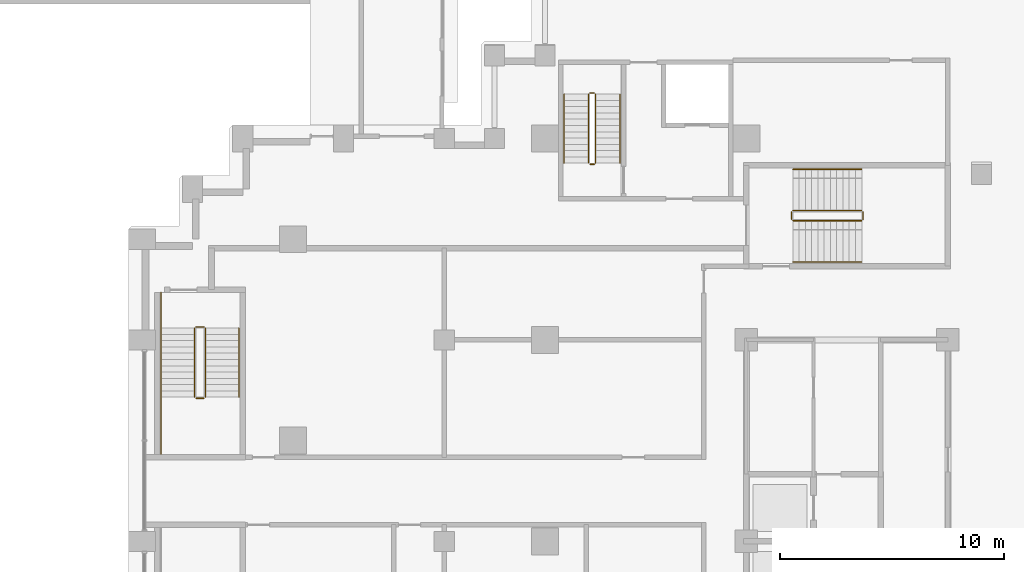
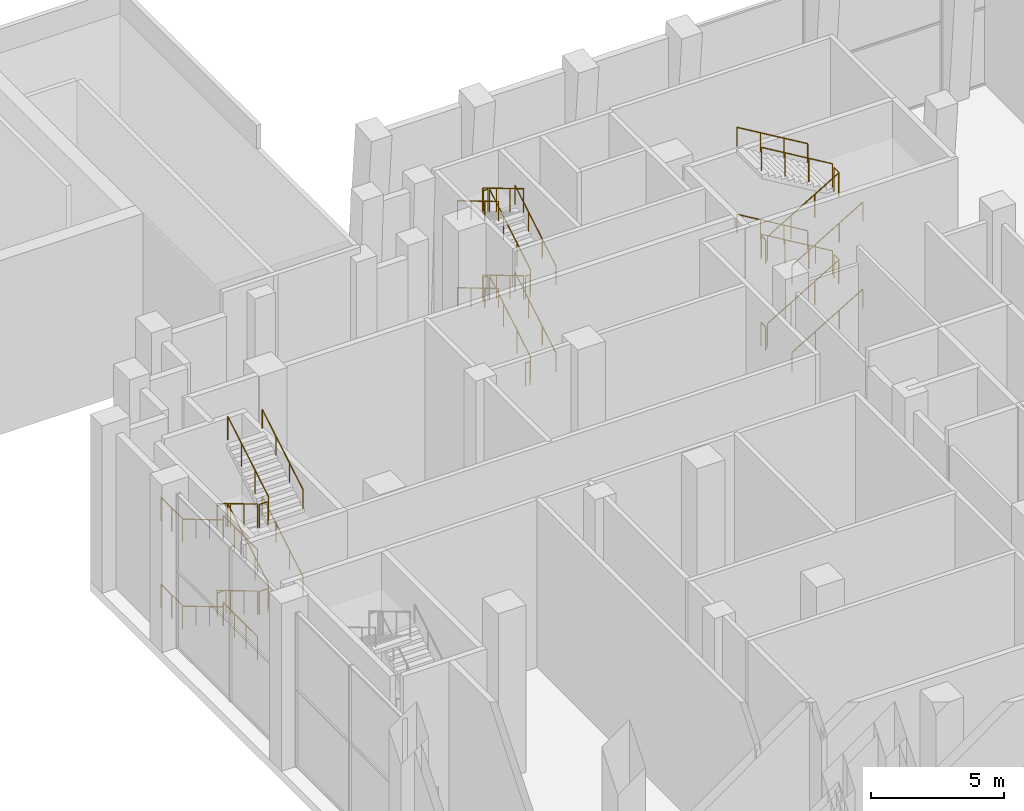
# One storey, part 21 of 24: 3 railings.
"""IFC4 building model written with IfcOpenShell, lengths in metres."""

from ifc_helpers import new_model, si_unit, direction, frame, origin, origin_2d, place, context, subcontext, project, spatial, circle, extrude, material, type_object, element, save


model = new_model("IFC4")

# Units and contexts
model_context = context("Model", 3, precision=1e-05, world=origin(), true_north=direction((0.0, 1.0)))
body_context = subcontext(model_context, "Body", "Model", "MODEL_VIEW")
ifc_project = project(units=[si_unit("LENGTHUNIT", "METRE"), si_unit("AREAUNIT", "SQUARE_METRE"), si_unit("VOLUMEUNIT", "CUBIC_METRE"), si_unit("PLANEANGLEUNIT", "RADIAN"), si_unit("MASSUNIT", "GRAM", prefix="KILO")], contexts=[model_context])

# Site, building, storey
site_placement = place(None, origin())
site = spatial("IfcSite", under=ifc_project, at=site_placement, CompositionType="ELEMENT")
building_placement = place(site_placement, origin())
building = spatial("IfcBuilding", under=site, at=building_placement, Name="Corbelhall Arena Tower", CompositionType="ELEMENT")
storey_placement = place(building_placement, frame((0.0, 0.0, 60.0)))
storey = spatial("IfcBuildingStorey", under=building, at=storey_placement, Name="L08", CompositionType="ELEMENT", Elevation=60.0)

# Railings
ifc_material = material(Name="Steel ASTM A500 Gr C", Category="steel")
railing_type = type_object("IfcRailingType", Name="IN-GD-1100", PredefinedType="GUARDRAIL", material=ifc_material)
railing_1_placement = place(storey_placement, frame((-11.425048828125, 14.324951171875, 0.166748046875)))
element("IfcRailing", 1, at=railing_1_placement, inside=storey, type_object=railing_type, Name="L08 ST1 stair guards and handrails", PredefinedType="GUARDRAIL", context=body_context, shape_type="SweptSolid", body=[
    extrude(circle(Radius=0.02392578125, at=origin_2d()), frame((0.0, 0.0, 1.076171875), z_axis=(0.859308565015, 0.0, 0.511457515432), x_axis=(0.0, 1.0, 0.0)), (0.0, 0.0, 1.0), 3.58447265625),
    extrude(circle(Radius=0.02392578125, at=origin_2d()), frame((3.130126953125, 0.050048828125, 2.9091796875), z_axis=(0.0, 1.0, 0.0), x_axis=(-1.0, 0.0, 0.0)), (0.0, 0.0, 1.0), 0.35009765625),
    extrude(circle(Radius=0.02392578125, at=origin_2d()), frame((3.080078125, 0.449951171875, 3.076171875), z_axis=(-0.859308565015, 0.0, 0.511457515432), x_axis=(0.0, -1.0, 0.0)), (0.0, 0.0, 1.0), 3.58447265625),
    extrude(circle(Radius=0.02392578125, at=origin_2d()), frame((-0.050048828125, 0.050048828125, 4.9091796875), z_axis=(0.0, 1.0, 0.0), x_axis=(-1.0, 0.0, 0.0)), (0.0, 0.0, 1.0), 0.35009765625),
    extrude(circle(Radius=0.02392578125, at=origin_2d()), frame((0.0, 0.0, 5.076171875), z_axis=(0.859308565015, 0.0, 0.511457515432), x_axis=(0.0, 1.0, 0.0)), (0.0, 0.0, 1.0), 3.58447265625),
    extrude(circle(Radius=0.02392578125, at=origin_2d()), frame((3.130126953125, 0.050048828125, 6.9091796875), z_axis=(0.0, 1.0, 0.0), x_axis=(-1.0, 0.0, 0.0)), (0.0, 0.0, 1.0), 0.35009765625),
    extrude(circle(Radius=0.02392578125, at=origin_2d()), frame((3.080078125, 0.449951171875, 7.076171875), z_axis=(-0.859308565015, 0.0, 0.511457515432), x_axis=(0.0, -1.0, 0.0)), (0.0, 0.0, 1.0), 3.58447265625),
    extrude(circle(Radius=0.02392578125, at=origin_2d()), frame((-0.050048828125, 0.050048828125, 0.9091796875), z_axis=(0.0, 1.0, 0.0), x_axis=(-1.0, 0.0, 0.0)), (0.0, 0.0, 1.0), 0.35009765625),
    extrude(circle(Radius=0.02392578125, at=origin_2d()), frame((0.0, -1.849853515625, 0.8759765625), z_axis=(0.859308565015, 0.0, 0.511457515432), x_axis=(0.0, 1.0, 0.0)), (0.0, 0.0, 1.0), 3.58447265625),
    extrude(circle(Radius=0.02392578125, at=origin_2d()), frame((3.080078125, 2.300048828125, 2.8759765625), z_axis=(-0.859308565015, 0.0, 0.511457515432), x_axis=(0.0, -1.0, 0.0)), (0.0, 0.0, 1.0), 3.58447265625),
    extrude(circle(Radius=0.02392578125, at=origin_2d()), frame((0.0, -1.849853515625, 4.8759765625), z_axis=(0.859308565015, 0.0, 0.511457515432), x_axis=(0.0, 1.0, 0.0)), (0.0, 0.0, 1.0), 3.58447265625),
    extrude(circle(Radius=0.02392578125, at=origin_2d()), frame((3.080078125, 2.300048828125, 6.8759765625), z_axis=(-0.859308565015, 0.0, 0.511457515432), x_axis=(0.0, -1.0, 0.0)), (0.0, 0.0, 1.0), 3.58447265625),
    extrude(circle(Radius=0.02099609375, at=origin_2d()), origin(), (0.0, 0.0, 1.0), 1.052001953125),
    extrude(circle(Radius=0.02099609375, at=origin_2d()), frame((1.026611328125, 0.0, 0.611083984375)), (0.0, 0.0, 1.0), 1.052001953125),
    extrude(circle(Radius=0.02099609375, at=origin_2d()), frame((2.053466796875, 0.0, 1.22216796875)), (0.0, 0.0, 1.0), 1.052001953125),
    extrude(circle(Radius=0.02099609375, at=origin_2d()), frame((3.080078125, 0.0, 1.833251953125)), (0.0, 0.0, 1.0), 1.052001953125),
    extrude(circle(Radius=0.02099609375, at=origin_2d()), frame((3.130126953125, 0.050048828125, 1.833251953125)), (0.0, 0.0, 1.0), 1.052001953125),
    extrude(circle(Radius=0.02099609375, at=origin_2d()), frame((3.130126953125, 0.400146484375, 1.833251953125)), (0.0, 0.0, 1.0), 1.052001953125),
    extrude(circle(Radius=0.02099609375, at=origin_2d()), frame((3.080078125, 0.449951171875, 2.0)), (0.0, 0.0, 1.0), 1.052001953125),
    extrude(circle(Radius=0.02099609375, at=origin_2d()), frame((2.053466796875, 0.449951171875, 2.611083984375)), (0.0, 0.0, 1.0), 1.052001953125),
    extrude(circle(Radius=0.02099609375, at=origin_2d()), frame((1.026611328125, 0.449951171875, 3.22216796875)), (0.0, 0.0, 1.0), 1.052001953125),
    extrude(circle(Radius=0.02099609375, at=origin_2d()), frame((0.0, 0.449951171875, 3.833251953125)), (0.0, 0.0, 1.0), 1.052001953125),
    extrude(circle(Radius=0.02099609375, at=origin_2d()), frame((-0.050048828125, 0.050048828125, 3.833251953125)), (0.0, 0.0, 1.0), 1.052001953125),
    extrude(circle(Radius=0.02099609375, at=origin_2d()), frame((-0.050048828125, 0.400146484375, 3.833251953125)), (0.0, 0.0, 1.0), 1.052001953125),
    extrude(circle(Radius=0.02099609375, at=origin_2d()), frame((0.0, 0.0, 4.0)), (0.0, 0.0, 1.0), 1.052001953125),
    extrude(circle(Radius=0.02099609375, at=origin_2d()), frame((1.026611328125, 0.0, 4.611083984375)), (0.0, 0.0, 1.0), 1.052001953125),
    extrude(circle(Radius=0.02099609375, at=origin_2d()), frame((2.053466796875, 0.0, 5.22216796875)), (0.0, 0.0, 1.0), 1.052001953125),
    extrude(circle(Radius=0.02099609375, at=origin_2d()), frame((3.080078125, 0.0, 5.833251953125)), (0.0, 0.0, 1.0), 1.052001953125),
    extrude(circle(Radius=0.02099609375, at=origin_2d()), frame((3.130126953125, 0.050048828125, 5.833251953125)), (0.0, 0.0, 1.0), 1.052001953125),
    extrude(circle(Radius=0.02099609375, at=origin_2d()), frame((3.130126953125, 0.400146484375, 5.833251953125)), (0.0, 0.0, 1.0), 1.052001953125),
    extrude(circle(Radius=0.02099609375, at=origin_2d()), frame((3.080078125, 0.449951171875, 6.0)), (0.0, 0.0, 1.0), 1.052001953125),
    extrude(circle(Radius=0.02099609375, at=origin_2d()), frame((2.053466796875, 0.449951171875, 6.611083984375)), (0.0, 0.0, 1.0), 1.052001953125),
    extrude(circle(Radius=0.02099609375, at=origin_2d()), frame((1.026611328125, 0.449951171875, 7.22216796875)), (0.0, 0.0, 1.0), 1.052001953125),
    extrude(circle(Radius=0.02099609375, at=origin_2d()), frame((0.0, 0.449951171875, 7.833251953125)), (0.0, 0.0, 1.0), 1.052001953125),
    extrude(circle(Radius=0.02099609375, at=origin_2d()), frame((-0.050048828125, 0.050048828125, -0.166748046875)), (0.0, 0.0, 1.0), 1.052001953125),
    extrude(circle(Radius=0.02099609375, at=origin_2d()), frame((-0.050048828125, 0.400146484375, -0.166748046875)), (0.0, 0.0, 1.0), 1.052001953125),
    extrude(circle(Radius=0.02099609375, at=origin_2d()), frame((0.0, -1.849853515625, 0.0)), (0.0, 0.0, 1.0), 0.851806640625),
    extrude(circle(Radius=0.02099609375, at=origin_2d()), frame((1.026611328125, -1.849853515625, 0.611083984375)), (0.0, 0.0, 1.0), 0.851806640625),
    extrude(circle(Radius=0.02099609375, at=origin_2d()), frame((2.053466796875, -1.849853515625, 1.22216796875)), (0.0, 0.0, 1.0), 0.851806640625),
    extrude(circle(Radius=0.02099609375, at=origin_2d()), frame((3.080078125, -1.849853515625, 1.833251953125)), (0.0, 0.0, 1.0), 0.851806640625),
    extrude(circle(Radius=0.02099609375, at=origin_2d()), frame((3.080078125, 2.300048828125, 2.0)), (0.0, 0.0, 1.0), 0.851806640625),
    extrude(circle(Radius=0.02099609375, at=origin_2d()), frame((2.053466796875, 2.300048828125, 2.611083984375)), (0.0, 0.0, 1.0), 0.851806640625),
    extrude(circle(Radius=0.02099609375, at=origin_2d()), frame((1.026611328125, 2.300048828125, 3.22216796875)), (0.0, 0.0, 1.0), 0.851806640625),
    extrude(circle(Radius=0.02099609375, at=origin_2d()), frame((0.0, 2.300048828125, 3.833251953125)), (0.0, 0.0, 1.0), 0.851806640625),
    extrude(circle(Radius=0.02099609375, at=origin_2d()), frame((0.0, -1.849853515625, 4.0)), (0.0, 0.0, 1.0), 0.851806640625),
    extrude(circle(Radius=0.02099609375, at=origin_2d()), frame((1.026611328125, -1.849853515625, 4.611083984375)), (0.0, 0.0, 1.0), 0.851806640625),
    extrude(circle(Radius=0.02099609375, at=origin_2d()), frame((2.053466796875, -1.849853515625, 5.22216796875)), (0.0, 0.0, 1.0), 0.851806640625),
    extrude(circle(Radius=0.02099609375, at=origin_2d()), frame((3.080078125, -1.849853515625, 5.833251953125)), (0.0, 0.0, 1.0), 0.851806640625),
    extrude(circle(Radius=0.02099609375, at=origin_2d()), frame((3.080078125, 2.300048828125, 6.0)), (0.0, 0.0, 1.0), 0.851806640625),
    extrude(circle(Radius=0.02099609375, at=origin_2d()), frame((2.053466796875, 2.300048828125, 6.611083984375)), (0.0, 0.0, 1.0), 0.851806640625),
    extrude(circle(Radius=0.02099609375, at=origin_2d()), frame((1.026611328125, 2.300048828125, 7.22216796875)), (0.0, 0.0, 1.0), 0.851806640625),
    extrude(circle(Radius=0.02099609375, at=origin_2d()), frame((0.0, 2.300048828125, 7.833251953125)), (0.0, 0.0, 1.0), 0.851806640625),
])
railing_2_placement = place(storey_placement, frame((-38.14990234375, 9.52490234375, 0.166748046875)))
element("IfcRailing", 2, at=railing_2_placement, inside=storey, type_object=railing_type, Name="L08 SC1 stair guards and handrails", PredefinedType="GUARDRAIL", context=body_context, shape_type="SweptSolid", body=[
    extrude(circle(Radius=0.02392578125, at=origin_2d()), frame((0.0, 0.0, 1.076171875), z_axis=(0.0, -0.859290745958, 0.51148745235), x_axis=(1.0, 0.0, 0.0)), (0.0, 0.0, 1.0), 3.584228515625),
    extrude(circle(Radius=0.02392578125, at=origin_2d()), frame((0.0498046875, -3.1298828125, 2.9091796875), z_axis=(1.0, 0.0, 0.0), x_axis=(0.0, 1.0, 0.0)), (0.0, 0.0, 1.0), 0.375),
    extrude(circle(Radius=0.02392578125, at=origin_2d()), frame((-1.5, -3.079833984375, 2.9091796875), z_axis=(0.0, -1.0, 0.0), x_axis=(1.0, 0.0, 0.0)), (0.0, 0.0, 1.0), 2.570068359375),
    extrude(circle(Radius=0.02392578125, at=origin_2d()), frame((0.474853515625, -3.079833984375, 3.076171875), z_axis=(0.0, 0.859290745958, 0.51148745235), x_axis=(-1.0, 0.0, 0.0)), (0.0, 0.0, 1.0), 3.584228515625),
    extrude(circle(Radius=0.02392578125, at=origin_2d()), frame((0.0498046875, 0.050048828125, 4.9091796875), z_axis=(1.0, 0.0, 0.0), x_axis=(0.0, 1.0, 0.0)), (0.0, 0.0, 1.0), 0.375),
    extrude(circle(Radius=0.02392578125, at=origin_2d()), frame((-1.5, 1.60009765625, 4.9091796875), z_axis=(0.0, -1.0, 0.0), x_axis=(1.0, 0.0, 0.0)), (0.0, 0.0, 1.0), 1.60009765625),
    extrude(circle(Radius=0.02392578125, at=origin_2d()), frame((0.0, 0.0, 5.076171875), z_axis=(0.0, -0.859290745958, 0.51148745235), x_axis=(1.0, 0.0, 0.0)), (0.0, 0.0, 1.0), 3.584228515625),
    extrude(circle(Radius=0.02392578125, at=origin_2d()), frame((0.0498046875, -3.1298828125, 6.9091796875), z_axis=(1.0, 0.0, 0.0), x_axis=(0.0, 1.0, 0.0)), (0.0, 0.0, 1.0), 0.375),
    extrude(circle(Radius=0.02392578125, at=origin_2d()), frame((-1.5, -3.079833984375, 6.9091796875), z_axis=(0.0, -1.0, 0.0), x_axis=(1.0, 0.0, 0.0)), (0.0, 0.0, 1.0), 2.570068359375),
    extrude(circle(Radius=0.02392578125, at=origin_2d()), frame((0.474853515625, -3.079833984375, 7.076171875), z_axis=(0.0, 0.859290745958, 0.51148745235), x_axis=(-1.0, 0.0, 0.0)), (0.0, 0.0, 1.0), 3.584228515625),
    extrude(circle(Radius=0.02392578125, at=origin_2d()), frame((0.0498046875, 0.050048828125, 0.9091796875), z_axis=(1.0, 0.0, 0.0), x_axis=(0.0, 1.0, 0.0)), (0.0, 0.0, 1.0), 0.375),
    extrude(circle(Radius=0.02392578125, at=origin_2d()), frame((-1.5, 1.60009765625, 0.9091796875), z_axis=(0.0, -1.0, 0.0), x_axis=(1.0, 0.0, 0.0)), (0.0, 0.0, 1.0), 1.60009765625),
    extrude(circle(Radius=0.02392578125, at=origin_2d()), frame((-1.5, 0.0, 0.8759765625), z_axis=(0.0, -0.859290745958, 0.51148745235), x_axis=(1.0, 0.0, 0.0)), (0.0, 0.0, 1.0), 3.584228515625),
    extrude(circle(Radius=0.02392578125, at=origin_2d()), frame((1.974853515625, -3.079833984375, 2.8759765625), z_axis=(0.0, 0.859290745958, 0.51148745235), x_axis=(-1.0, 0.0, 0.0)), (0.0, 0.0, 1.0), 3.584228515625),
    extrude(circle(Radius=0.02392578125, at=origin_2d()), frame((-1.5, 0.0, 4.8759765625), z_axis=(0.0, -0.859290745958, 0.51148745235), x_axis=(1.0, 0.0, 0.0)), (0.0, 0.0, 1.0), 3.584228515625),
    extrude(circle(Radius=0.02392578125, at=origin_2d()), frame((1.974853515625, -3.079833984375, 6.8759765625), z_axis=(0.0, 0.859290745958, 0.51148745235), x_axis=(-1.0, 0.0, 0.0)), (0.0, 0.0, 1.0), 3.584228515625),
    extrude(circle(Radius=0.02099609375, at=origin_2d()), origin(), (0.0, 0.0, 1.0), 1.052001953125),
    extrude(circle(Radius=0.02099609375, at=origin_2d()), frame((0.0, -1.026611328125, 0.611083984375)), (0.0, 0.0, 1.0), 1.052001953125),
    extrude(circle(Radius=0.02099609375, at=origin_2d()), frame((0.0, -2.05322265625, 1.22216796875)), (0.0, 0.0, 1.0), 1.052001953125),
    extrude(circle(Radius=0.02099609375, at=origin_2d()), frame((0.0, -3.079833984375, 1.833251953125)), (0.0, 0.0, 1.0), 1.052001953125),
    extrude(circle(Radius=0.02099609375, at=origin_2d()), frame((0.0498046875, -3.1298828125, 1.833251953125)), (0.0, 0.0, 1.0), 1.052001953125),
    extrude(circle(Radius=0.02099609375, at=origin_2d()), frame((0.4248046875, -3.1298828125, 1.833251953125)), (0.0, 0.0, 1.0), 1.052001953125),
    extrude(circle(Radius=0.02099609375, at=origin_2d()), frame((-1.5, -3.079833984375, 1.833251953125)), (0.0, 0.0, 1.0), 1.052001953125),
    extrude(circle(Radius=0.02099609375, at=origin_2d()), frame((-1.5, -3.9365234375, 1.833251953125)), (0.0, 0.0, 1.0), 1.052001953125),
    extrude(circle(Radius=0.02099609375, at=origin_2d()), frame((-1.5, -4.793212890625, 1.833251953125)), (0.0, 0.0, 1.0), 1.052001953125),
    extrude(circle(Radius=0.02099609375, at=origin_2d()), frame((-1.5, -5.64990234375, 1.833251953125)), (0.0, 0.0, 1.0), 1.052001953125),
    extrude(circle(Radius=0.02099609375, at=origin_2d()), frame((0.474853515625, -3.079833984375, 2.0)), (0.0, 0.0, 1.0), 1.052001953125),
    extrude(circle(Radius=0.02099609375, at=origin_2d()), frame((0.474853515625, -2.05322265625, 2.611083984375)), (0.0, 0.0, 1.0), 1.052001953125),
    extrude(circle(Radius=0.02099609375, at=origin_2d()), frame((0.474853515625, -1.026611328125, 3.22216796875)), (0.0, 0.0, 1.0), 1.052001953125),
    extrude(circle(Radius=0.02099609375, at=origin_2d()), frame((0.474853515625, 0.0, 3.833251953125)), (0.0, 0.0, 1.0), 1.052001953125),
    extrude(circle(Radius=0.02099609375, at=origin_2d()), frame((0.0498046875, 0.050048828125, 3.833251953125)), (0.0, 0.0, 1.0), 1.052001953125),
    extrude(circle(Radius=0.02099609375, at=origin_2d()), frame((0.4248046875, 0.050048828125, 3.833251953125)), (0.0, 0.0, 1.0), 1.052001953125),
    extrude(circle(Radius=0.02099609375, at=origin_2d()), frame((-1.5, 1.60009765625, 3.833251953125)), (0.0, 0.0, 1.0), 1.052001953125),
    extrude(circle(Radius=0.02099609375, at=origin_2d()), frame((-1.5, 0.800048828125, 3.833251953125)), (0.0, 0.0, 1.0), 1.052001953125),
    extrude(circle(Radius=0.02099609375, at=origin_2d()), frame((-1.5, 0.0, 3.833251953125)), (0.0, 0.0, 1.0), 1.052001953125),
    extrude(circle(Radius=0.02099609375, at=origin_2d()), frame((0.0, 0.0, 4.0)), (0.0, 0.0, 1.0), 1.052001953125),
    extrude(circle(Radius=0.02099609375, at=origin_2d()), frame((0.0, -1.026611328125, 4.611083984375)), (0.0, 0.0, 1.0), 1.052001953125),
    extrude(circle(Radius=0.02099609375, at=origin_2d()), frame((0.0, -2.05322265625, 5.22216796875)), (0.0, 0.0, 1.0), 1.052001953125),
    extrude(circle(Radius=0.02099609375, at=origin_2d()), frame((0.0, -3.079833984375, 5.833251953125)), (0.0, 0.0, 1.0), 1.052001953125),
    extrude(circle(Radius=0.02099609375, at=origin_2d()), frame((0.0498046875, -3.1298828125, 5.833251953125)), (0.0, 0.0, 1.0), 1.052001953125),
    extrude(circle(Radius=0.02099609375, at=origin_2d()), frame((0.4248046875, -3.1298828125, 5.833251953125)), (0.0, 0.0, 1.0), 1.052001953125),
    extrude(circle(Radius=0.02099609375, at=origin_2d()), frame((-1.5, -3.079833984375, 5.833251953125)), (0.0, 0.0, 1.0), 1.052001953125),
    extrude(circle(Radius=0.02099609375, at=origin_2d()), frame((-1.5, -3.9365234375, 5.833251953125)), (0.0, 0.0, 1.0), 1.052001953125),
    extrude(circle(Radius=0.02099609375, at=origin_2d()), frame((-1.5, -4.793212890625, 5.833251953125)), (0.0, 0.0, 1.0), 1.052001953125),
    extrude(circle(Radius=0.02099609375, at=origin_2d()), frame((-1.5, -5.64990234375, 5.833251953125)), (0.0, 0.0, 1.0), 1.052001953125),
    extrude(circle(Radius=0.02099609375, at=origin_2d()), frame((0.474853515625, -3.079833984375, 6.0)), (0.0, 0.0, 1.0), 1.052001953125),
    extrude(circle(Radius=0.02099609375, at=origin_2d()), frame((0.474853515625, -2.05322265625, 6.611083984375)), (0.0, 0.0, 1.0), 1.052001953125),
    extrude(circle(Radius=0.02099609375, at=origin_2d()), frame((0.474853515625, -1.026611328125, 7.22216796875)), (0.0, 0.0, 1.0), 1.052001953125),
    extrude(circle(Radius=0.02099609375, at=origin_2d()), frame((0.474853515625, 0.0, 7.833251953125)), (0.0, 0.0, 1.0), 1.052001953125),
    extrude(circle(Radius=0.02099609375, at=origin_2d()), frame((0.0498046875, 0.050048828125, -0.166748046875)), (0.0, 0.0, 1.0), 1.052001953125),
    extrude(circle(Radius=0.02099609375, at=origin_2d()), frame((0.4248046875, 0.050048828125, -0.166748046875)), (0.0, 0.0, 1.0), 1.052001953125),
    extrude(circle(Radius=0.02099609375, at=origin_2d()), frame((-1.5, 1.60009765625, -0.166748046875)), (0.0, 0.0, 1.0), 1.052001953125),
    extrude(circle(Radius=0.02099609375, at=origin_2d()), frame((-1.5, 0.800048828125, -0.166748046875)), (0.0, 0.0, 1.0), 1.052001953125),
    extrude(circle(Radius=0.02099609375, at=origin_2d()), frame((-1.5, 0.0, -0.166748046875)), (0.0, 0.0, 1.0), 1.052001953125),
    extrude(circle(Radius=0.02099609375, at=origin_2d()), frame((-1.5, 0.0, 0.0)), (0.0, 0.0, 1.0), 0.851806640625),
    extrude(circle(Radius=0.02099609375, at=origin_2d()), frame((-1.5, -1.026611328125, 0.611083984375)), (0.0, 0.0, 1.0), 0.851806640625),
    extrude(circle(Radius=0.02099609375, at=origin_2d()), frame((-1.5, -2.05322265625, 1.22216796875)), (0.0, 0.0, 1.0), 0.851806640625),
    extrude(circle(Radius=0.02099609375, at=origin_2d()), frame((1.974853515625, -3.079833984375, 2.0)), (0.0, 0.0, 1.0), 0.851806640625),
    extrude(circle(Radius=0.02099609375, at=origin_2d()), frame((1.974853515625, -2.05322265625, 2.611083984375)), (0.0, 0.0, 1.0), 0.851806640625),
    extrude(circle(Radius=0.02099609375, at=origin_2d()), frame((1.974853515625, -1.026611328125, 3.22216796875)), (0.0, 0.0, 1.0), 0.851806640625),
    extrude(circle(Radius=0.02099609375, at=origin_2d()), frame((1.974853515625, 0.0, 3.833251953125)), (0.0, 0.0, 1.0), 0.851806640625),
    extrude(circle(Radius=0.02099609375, at=origin_2d()), frame((-1.5, 0.0, 4.0)), (0.0, 0.0, 1.0), 0.851806640625),
    extrude(circle(Radius=0.02099609375, at=origin_2d()), frame((-1.5, -1.026611328125, 4.611083984375)), (0.0, 0.0, 1.0), 0.851806640625),
    extrude(circle(Radius=0.02099609375, at=origin_2d()), frame((-1.5, -2.05322265625, 5.22216796875)), (0.0, 0.0, 1.0), 0.851806640625),
    extrude(circle(Radius=0.02099609375, at=origin_2d()), frame((1.974853515625, -3.079833984375, 6.0)), (0.0, 0.0, 1.0), 0.851806640625),
    extrude(circle(Radius=0.02099609375, at=origin_2d()), frame((1.974853515625, -2.05322265625, 6.611083984375)), (0.0, 0.0, 1.0), 0.851806640625),
    extrude(circle(Radius=0.02099609375, at=origin_2d()), frame((1.974853515625, -1.026611328125, 7.22216796875)), (0.0, 0.0, 1.0), 0.851806640625),
    extrude(circle(Radius=0.02099609375, at=origin_2d()), frame((1.974853515625, 0.0, 7.833251953125)), (0.0, 0.0, 1.0), 0.851806640625),
])
railing_3_placement = place(storey_placement, frame((-20.2451171875, 16.89990234375, 0.166748046875)))
element("IfcRailing", 3, at=railing_3_placement, inside=storey, type_object=railing_type, Name="L08 ST5 stair guards and handrails", PredefinedType="GUARDRAIL", context=body_context, shape_type="SweptSolid", body=[
    extrude(circle(Radius=0.02392578125, at=origin_2d()), frame((0.0, 0.0, 1.076171875), z_axis=(0.0, 0.859308565015, 0.511457515432), x_axis=(-1.0, 0.0, 0.0)), (0.0, 0.0, 1.0), 3.58447265625),
    extrude(circle(Radius=0.02392578125, at=origin_2d()), frame((-0.0498046875, 3.130126953125, 2.9091796875), z_axis=(-1.0, 0.0, 0.0), x_axis=(0.0, -1.0, 0.0)), (0.0, 0.0, 1.0), 0.2001953125),
    extrude(circle(Radius=0.02392578125, at=origin_2d()), frame((-0.2998046875, 3.080078125, 3.076171875), z_axis=(0.0, -0.859308565015, 0.511457515432), x_axis=(1.0, 0.0, 0.0)), (0.0, 0.0, 1.0), 3.58447265625),
    extrude(circle(Radius=0.02392578125, at=origin_2d()), frame((-0.0498046875, -0.0498046875, 4.9091796875), z_axis=(-1.0, 0.0, 0.0), x_axis=(0.0, -1.0, 0.0)), (0.0, 0.0, 1.0), 0.2001953125),
    extrude(circle(Radius=0.02392578125, at=origin_2d()), frame((0.0, 0.0, 5.076171875), z_axis=(0.0, 0.859308565015, 0.511457515432), x_axis=(-1.0, 0.0, 0.0)), (0.0, 0.0, 1.0), 3.58447265625),
    extrude(circle(Radius=0.02392578125, at=origin_2d()), frame((-0.0498046875, 3.130126953125, 6.9091796875), z_axis=(-1.0, 0.0, 0.0), x_axis=(0.0, -1.0, 0.0)), (0.0, 0.0, 1.0), 0.2001953125),
    extrude(circle(Radius=0.02392578125, at=origin_2d()), frame((-0.2998046875, 3.080078125, 7.076171875), z_axis=(0.0, -0.859308565015, 0.511457515432), x_axis=(1.0, 0.0, 0.0)), (0.0, 0.0, 1.0), 3.58447265625),
    extrude(circle(Radius=0.02392578125, at=origin_2d()), frame((-0.0498046875, -0.0498046875, 0.9091796875), z_axis=(-1.0, 0.0, 0.0), x_axis=(0.0, -1.0, 0.0)), (0.0, 0.0, 1.0), 0.2001953125),
    extrude(circle(Radius=0.02392578125, at=origin_2d()), frame((1.10009765625, 0.0, 0.8759765625), z_axis=(0.0, 0.859308565015, 0.511457515432), x_axis=(-1.0, 0.0, 0.0)), (0.0, 0.0, 1.0), 3.58447265625),
    extrude(circle(Radius=0.02392578125, at=origin_2d()), frame((-1.39990234375, 3.080078125, 2.8759765625), z_axis=(0.0, -0.859308565015, 0.511457515432), x_axis=(1.0, 0.0, 0.0)), (0.0, 0.0, 1.0), 3.58447265625),
    extrude(circle(Radius=0.02392578125, at=origin_2d()), frame((1.10009765625, 0.0, 4.8759765625), z_axis=(0.0, 0.859308565015, 0.511457515432), x_axis=(-1.0, 0.0, 0.0)), (0.0, 0.0, 1.0), 3.58447265625),
    extrude(circle(Radius=0.02392578125, at=origin_2d()), frame((-1.39990234375, 3.080078125, 6.8759765625), z_axis=(0.0, -0.859308565015, 0.511457515432), x_axis=(1.0, 0.0, 0.0)), (0.0, 0.0, 1.0), 3.58447265625),
    extrude(circle(Radius=0.02099609375, at=origin_2d()), origin(), (0.0, 0.0, 1.0), 1.052001953125),
    extrude(circle(Radius=0.02099609375, at=origin_2d()), frame((0.0, 1.026611328125, 0.611083984375)), (0.0, 0.0, 1.0), 1.052001953125),
    extrude(circle(Radius=0.02099609375, at=origin_2d()), frame((0.0, 2.053466796875, 1.22216796875)), (0.0, 0.0, 1.0), 1.052001953125),
    extrude(circle(Radius=0.02099609375, at=origin_2d()), frame((0.0, 3.080078125, 1.833251953125)), (0.0, 0.0, 1.0), 1.052001953125),
    extrude(circle(Radius=0.02099609375, at=origin_2d()), frame((-0.0498046875, 3.130126953125, 1.833251953125)), (0.0, 0.0, 1.0), 1.052001953125),
    extrude(circle(Radius=0.02099609375, at=origin_2d()), frame((-0.25, 3.130126953125, 1.833251953125)), (0.0, 0.0, 1.0), 1.052001953125),
    extrude(circle(Radius=0.02099609375, at=origin_2d()), frame((-0.2998046875, 3.080078125, 2.0)), (0.0, 0.0, 1.0), 1.052001953125),
    extrude(circle(Radius=0.02099609375, at=origin_2d()), frame((-0.2998046875, 2.053466796875, 2.611083984375)), (0.0, 0.0, 1.0), 1.052001953125),
    extrude(circle(Radius=0.02099609375, at=origin_2d()), frame((-0.2998046875, 1.026611328125, 3.22216796875)), (0.0, 0.0, 1.0), 1.052001953125),
    extrude(circle(Radius=0.02099609375, at=origin_2d()), frame((-0.2998046875, 0.0, 3.833251953125)), (0.0, 0.0, 1.0), 1.052001953125),
    extrude(circle(Radius=0.02099609375, at=origin_2d()), frame((-0.0498046875, -0.0498046875, 3.833251953125)), (0.0, 0.0, 1.0), 1.052001953125),
    extrude(circle(Radius=0.02099609375, at=origin_2d()), frame((-0.25, -0.0498046875, 3.833251953125)), (0.0, 0.0, 1.0), 1.052001953125),
    extrude(circle(Radius=0.02099609375, at=origin_2d()), frame((0.0, 0.0, 4.0)), (0.0, 0.0, 1.0), 1.052001953125),
    extrude(circle(Radius=0.02099609375, at=origin_2d()), frame((0.0, 1.026611328125, 4.611083984375)), (0.0, 0.0, 1.0), 1.052001953125),
    extrude(circle(Radius=0.02099609375, at=origin_2d()), frame((0.0, 2.053466796875, 5.22216796875)), (0.0, 0.0, 1.0), 1.052001953125),
    extrude(circle(Radius=0.02099609375, at=origin_2d()), frame((0.0, 3.080078125, 5.833251953125)), (0.0, 0.0, 1.0), 1.052001953125),
    extrude(circle(Radius=0.02099609375, at=origin_2d()), frame((-0.0498046875, 3.130126953125, 5.833251953125)), (0.0, 0.0, 1.0), 1.052001953125),
    extrude(circle(Radius=0.02099609375, at=origin_2d()), frame((-0.25, 3.130126953125, 5.833251953125)), (0.0, 0.0, 1.0), 1.052001953125),
    extrude(circle(Radius=0.02099609375, at=origin_2d()), frame((-0.2998046875, 3.080078125, 6.0)), (0.0, 0.0, 1.0), 1.052001953125),
    extrude(circle(Radius=0.02099609375, at=origin_2d()), frame((-0.2998046875, 2.053466796875, 6.611083984375)), (0.0, 0.0, 1.0), 1.052001953125),
    extrude(circle(Radius=0.02099609375, at=origin_2d()), frame((-0.2998046875, 1.026611328125, 7.22216796875)), (0.0, 0.0, 1.0), 1.052001953125),
    extrude(circle(Radius=0.02099609375, at=origin_2d()), frame((-0.2998046875, 0.0, 7.833251953125)), (0.0, 0.0, 1.0), 1.052001953125),
    extrude(circle(Radius=0.02099609375, at=origin_2d()), frame((-0.0498046875, -0.0498046875, -0.166748046875)), (0.0, 0.0, 1.0), 1.052001953125),
    extrude(circle(Radius=0.02099609375, at=origin_2d()), frame((-0.25, -0.0498046875, -0.166748046875)), (0.0, 0.0, 1.0), 1.052001953125),
    extrude(circle(Radius=0.02099609375, at=origin_2d()), frame((1.10009765625, 0.0, 0.0)), (0.0, 0.0, 1.0), 0.851806640625),
    extrude(circle(Radius=0.02099609375, at=origin_2d()), frame((1.10009765625, 1.026611328125, 0.611083984375)), (0.0, 0.0, 1.0), 0.851806640625),
    extrude(circle(Radius=0.02099609375, at=origin_2d()), frame((1.10009765625, 2.053466796875, 1.22216796875)), (0.0, 0.0, 1.0), 0.851806640625),
    extrude(circle(Radius=0.02099609375, at=origin_2d()), frame((1.10009765625, 3.080078125, 1.833251953125)), (0.0, 0.0, 1.0), 0.851806640625),
    extrude(circle(Radius=0.02099609375, at=origin_2d()), frame((-1.39990234375, 3.080078125, 2.0)), (0.0, 0.0, 1.0), 0.851806640625),
    extrude(circle(Radius=0.02099609375, at=origin_2d()), frame((-1.39990234375, 2.053466796875, 2.611083984375)), (0.0, 0.0, 1.0), 0.851806640625),
    extrude(circle(Radius=0.02099609375, at=origin_2d()), frame((-1.39990234375, 1.026611328125, 3.22216796875)), (0.0, 0.0, 1.0), 0.851806640625),
    extrude(circle(Radius=0.02099609375, at=origin_2d()), frame((-1.39990234375, 0.0, 3.833251953125)), (0.0, 0.0, 1.0), 0.851806640625),
    extrude(circle(Radius=0.02099609375, at=origin_2d()), frame((1.10009765625, 0.0, 4.0)), (0.0, 0.0, 1.0), 0.851806640625),
    extrude(circle(Radius=0.02099609375, at=origin_2d()), frame((1.10009765625, 1.026611328125, 4.611083984375)), (0.0, 0.0, 1.0), 0.851806640625),
    extrude(circle(Radius=0.02099609375, at=origin_2d()), frame((1.10009765625, 2.053466796875, 5.22216796875)), (0.0, 0.0, 1.0), 0.851806640625),
    extrude(circle(Radius=0.02099609375, at=origin_2d()), frame((1.10009765625, 3.080078125, 5.833251953125)), (0.0, 0.0, 1.0), 0.851806640625),
    extrude(circle(Radius=0.02099609375, at=origin_2d()), frame((-1.39990234375, 3.080078125, 6.0)), (0.0, 0.0, 1.0), 0.851806640625),
    extrude(circle(Radius=0.02099609375, at=origin_2d()), frame((-1.39990234375, 2.053466796875, 6.611083984375)), (0.0, 0.0, 1.0), 0.851806640625),
    extrude(circle(Radius=0.02099609375, at=origin_2d()), frame((-1.39990234375, 1.026611328125, 7.22216796875)), (0.0, 0.0, 1.0), 0.851806640625),
    extrude(circle(Radius=0.02099609375, at=origin_2d()), frame((-1.39990234375, 0.0, 7.833251953125)), (0.0, 0.0, 1.0), 0.851806640625),
])

save(model, "model.ifc")
